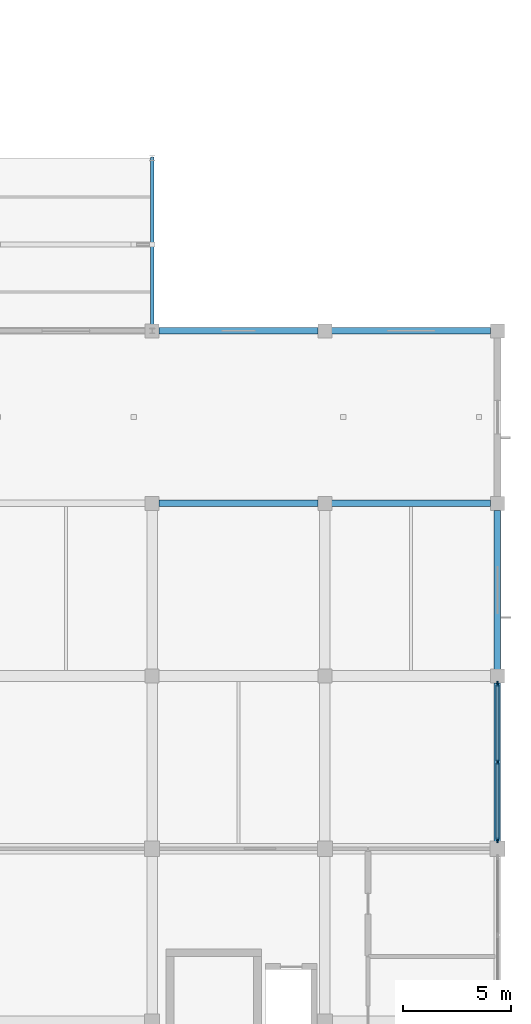
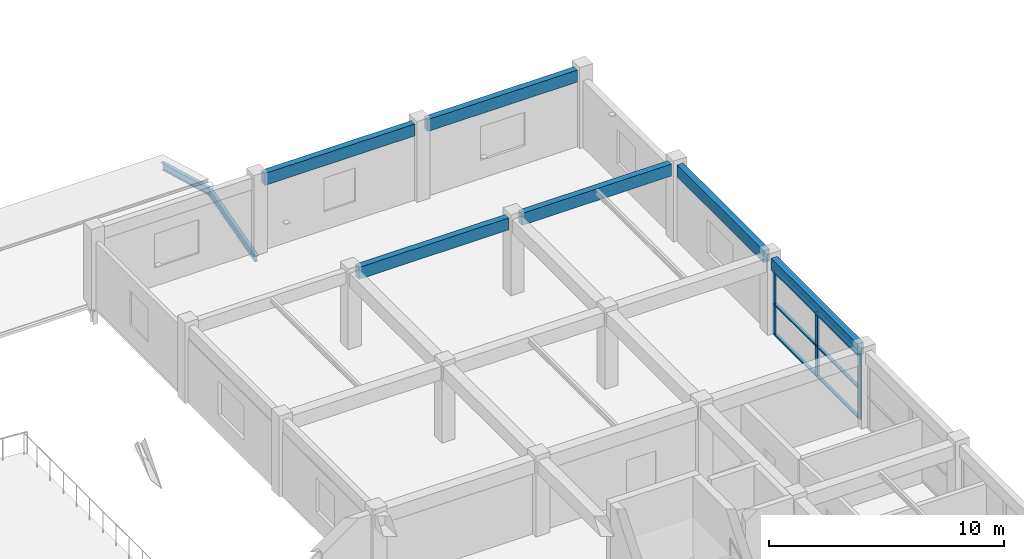
# One storey, part 25 of 67: 9 members, 8 beams, 1 element without a shape of its own.
"""IFC4 building model written with IfcOpenShell, lengths in metres."""

from ifc_helpers import new_model, si_unit, direction, frame, origin, origin_2d, place, context, subcontext, project, spatial, rectangle, i_section, extrude, material, material_profile, profile_set, type_object, element, aggregate, save


model = new_model("IFC4")

# Units and contexts
model_context = context("Model", 3, precision=1e-05, world=origin(), true_north=direction((0.0, 1.0)))
body_context = subcontext(model_context, "Body", "Model", "MODEL_VIEW")
ifc_project = project(units=[si_unit("LENGTHUNIT", "METRE"), si_unit("AREAUNIT", "SQUARE_METRE"), si_unit("VOLUMEUNIT", "CUBIC_METRE"), si_unit("PLANEANGLEUNIT", "RADIAN"), si_unit("MASSUNIT", "GRAM", prefix="KILO")], contexts=[model_context])

# Site, building, storey
site_placement = place(None, origin())
site = spatial("IfcSite", under=ifc_project, at=site_placement, CompositionType="ELEMENT")
building_placement = place(site_placement, origin())
building = spatial("IfcBuilding", under=site, at=building_placement, Name="Kenh Van Central Station", CompositionType="ELEMENT")
storey_placement = place(building_placement, frame((0.0, 0.0, 10.800048828125)))
storey = spatial("IfcBuildingStorey", under=building, at=storey_placement, Name="L02", CompositionType="ELEMENT", Elevation=10.800048828125)

# Beams
ifc_material_1 = material(Name="Steel S355", Category="steel")
ifc_material_profile_1 = material_profile(ifc_material_1, i_section(OverallWidth=0.169921875, OverallDepth=0.360107421875, WebThickness=0.008056640625, FlangeThickness=0.0126953125, FilletRadius=0.01806640625, at=origin_2d()), Name="IPE 360")
ifc_profile_set_1 = profile_set([ifc_material_profile_1], Name="Steel S355")
beam_type_1 = type_object("IfcBeamType", Name="BM-STL-IPE360", PredefinedType="BEAM", material=ifc_profile_set_1)
for number, where, z_axis, x_axis, name in (
    (1, (160.0, 88.0, -0.4345703125), (0.0, 0.964199374188, 0.265178367925), (-1.0, 0.0, 0.0), "L02 roof rafter 231"),
    (2, (160.0, 92.0, 0.66552734375), (0.0, 0.964199374188, -0.265178367925), (-1.0, 0.0, 0.0), "L02 roof rafter 232"),
):
    element("IfcBeam", number, at=place(storey_placement, frame(where, z_axis=z_axis, x_axis=x_axis)), inside=storey, type_object=beam_type_1, Name=name, PredefinedType="BEAM", context=body_context, shape_type="SweptSolid", body=[
        extrude(i_section(OverallWidth=0.169921875, OverallDepth=0.360107421875, WebThickness=0.008056640625, FlangeThickness=0.0126953125, FilletRadius=0.01806640625, at=origin_2d()), origin(), (0.0, 0.0, 1.0), 4.1484375),
    ])

# Curtain wall, members
ifc_material_2 = material(Name="Champagne anodised aluminium", Category="aluminium")
curtain_wall_type = type_object("IfcCurtainWallType", Name="CW-OPER-A", PredefinedType="NOTDEFINED", material=ifc_material_2)
curtain_wall_placement = place(storey_placement, origin())
curtain_wall = element("IfcCurtainWall", 3, at=curtain_wall_placement, inside=storey, type_object=curtain_wall_type, Name="L02 curtain wall 196", PredefinedType="NOTDEFINED")
ifc_material_profile_2 = material_profile(ifc_material_2, rectangle(XDim=0.087890625, YDim=0.239990234375, at=origin_2d()), Name="AL 88x240")
ifc_profile_set_2 = profile_set([ifc_material_profile_2], Name="Champagne anodised aluminium")
member_type_1 = type_object("IfcMemberType", Name="CWM-60x140", PredefinedType="MULLION", material=ifc_profile_set_2)
member_1_placement = place(storey_placement, frame((176.0, 64.39404296875, 0.0), z_axis=(0.0, 0.0, 1.0), x_axis=(-1.0, 0.0, 0.0)))
member_1 = element("IfcMember", 4, at=member_1_placement, type_object=member_type_1, Name="CW-07 mullion 1", PredefinedType="MULLION", context=body_context, shape_type="SweptSolid", body=[
    extrude(rectangle(XDim=0.087890625, YDim=0.239990234375, at=origin_2d()), origin(), (0.0, 0.0, 1.0), 3.329833984375),
])
member_2_placement = place(storey_placement, frame((176.0, 68.012451171875, 0.0), z_axis=(0.0, 0.0, 1.0), x_axis=(-1.0, 0.0, 0.0)))
member_2 = element("IfcMember", 5, at=member_2_placement, type_object=member_type_1, Name="CW-07 mullion 2", PredefinedType="MULLION", context=body_context, shape_type="SweptSolid", body=[
    extrude(rectangle(XDim=0.087890625, YDim=0.239990234375, at=origin_2d()), origin(), (0.0, 0.0, 1.0), 3.329833984375),
])
member_3_placement = place(storey_placement, frame((176.0, 71.631103515625, 0.0), z_axis=(0.0, 0.0, 1.0), x_axis=(-1.0, 0.0, 0.0)))
member_3 = element("IfcMember", 6, at=member_3_placement, type_object=member_type_1, Name="CW-07 mullion 3", PredefinedType="MULLION", context=body_context, shape_type="SweptSolid", body=[
    extrude(rectangle(XDim=0.087890625, YDim=0.239990234375, at=origin_2d()), origin(), (0.0, 0.0, 1.0), 3.329833984375),
])
ifc_material_profile_3 = material_profile(ifc_material_2, rectangle(XDim=0.155029296875, YDim=0.072021484375, at=origin_2d()), Name="AL 155x72")
ifc_profile_set_3 = profile_set([ifc_material_profile_3], Name="Champagne anodised aluminium")
member_type_2 = type_object("IfcMemberType", Name="CWT-120x60", PredefinedType="USERDEFINED", material=ifc_profile_set_3)
member_4_placement = place(storey_placement, frame((176.0, 64.43798828125, 0.035888671875), z_axis=(0.0, 1.0, 0.0), x_axis=(-1.0, 0.0, 0.0)))
member_4 = element("IfcMember", 7, at=member_4_placement, type_object=member_type_2, Name="CW-07 transom 1.1", ObjectType="TRANSOM", PredefinedType="USERDEFINED", context=body_context, shape_type="SweptSolid", body=[
    extrude(rectangle(XDim=0.155029296875, YDim=0.072021484375, at=origin_2d()), origin(), (0.0, 0.0, 1.0), 3.530517578125),
])
member_5_placement = place(storey_placement, frame((176.0, 64.43798828125, 1.598388671875), z_axis=(0.0, 1.0, 0.0), x_axis=(-1.0, 0.0, 0.0)))
member_5 = element("IfcMember", 8, at=member_5_placement, type_object=member_type_2, Name="CW-07 transom 1.2", ObjectType="TRANSOM", PredefinedType="USERDEFINED", context=body_context, shape_type="SweptSolid", body=[
    extrude(rectangle(XDim=0.155029296875, YDim=0.072021484375, at=origin_2d()), origin(), (0.0, 0.0, 1.0), 3.530517578125),
])
member_6_placement = place(storey_placement, frame((176.0, 64.43798828125, 3.2939453125), z_axis=(0.0, 1.0, 0.0), x_axis=(-1.0, 0.0, 0.0)))
member_6 = element("IfcMember", 9, at=member_6_placement, type_object=member_type_2, Name="CW-07 transom 1.3", ObjectType="TRANSOM", PredefinedType="USERDEFINED", context=body_context, shape_type="SweptSolid", body=[
    extrude(rectangle(XDim=0.155029296875, YDim=0.072021484375, at=origin_2d()), origin(), (0.0, 0.0, 1.0), 3.530517578125),
])
member_7_placement = place(storey_placement, frame((176.0, 68.056396484375, 0.035888671875), z_axis=(0.0, 1.0, 0.0), x_axis=(-1.0, 0.0, 0.0)))
member_7 = element("IfcMember", 10, at=member_7_placement, type_object=member_type_2, Name="CW-07 transom 2.1", ObjectType="TRANSOM", PredefinedType="USERDEFINED", context=body_context, shape_type="SweptSolid", body=[
    extrude(rectangle(XDim=0.155029296875, YDim=0.072021484375, at=origin_2d()), origin(), (0.0, 0.0, 1.0), 3.530517578125),
])
member_8_placement = place(storey_placement, frame((176.0, 68.056396484375, 1.598388671875), z_axis=(0.0, 1.0, 0.0), x_axis=(-1.0, 0.0, 0.0)))
member_8 = element("IfcMember", 11, at=member_8_placement, type_object=member_type_2, Name="CW-07 transom 2.2", ObjectType="TRANSOM", PredefinedType="USERDEFINED", context=body_context, shape_type="SweptSolid", body=[
    extrude(rectangle(XDim=0.155029296875, YDim=0.072021484375, at=origin_2d()), origin(), (0.0, 0.0, 1.0), 3.530517578125),
])
member_9_placement = place(storey_placement, frame((176.0, 68.056396484375, 3.2939453125), z_axis=(0.0, 1.0, 0.0), x_axis=(-1.0, 0.0, 0.0)))
member_9 = element("IfcMember", 12, at=member_9_placement, type_object=member_type_2, Name="CW-07 transom 2.3", ObjectType="TRANSOM", PredefinedType="USERDEFINED", context=body_context, shape_type="SweptSolid", body=[
    extrude(rectangle(XDim=0.155029296875, YDim=0.072021484375, at=origin_2d()), origin(), (0.0, 0.0, 1.0), 3.530517578125),
])
aggregate(curtain_wall, [member_1, member_2, member_3, member_4, member_5, member_6, member_7, member_8, member_9])

# Beams
ifc_material_3 = material(Name="Concrete C35/45", Category="concrete")
ifc_material_profile_4 = material_profile(ifc_material_3, rectangle(XDim=0.300048828125, YDim=0.6201171875, at=origin_2d()), Name="RC 300x620")
ifc_profile_set_4 = profile_set([ifc_material_profile_4], Name="Concrete C35/45")
beam_type_2 = type_object("IfcBeamType", Name="SPD-RC-300x620", PredefinedType="SPANDREL", material=ifc_profile_set_4)
for number, where, z_axis, x_axis, name in (
    (13, (160.31494140625, 80.0, 3.639892578125), (1.0, 0.0, 0.0), (0.0, 1.0, 0.0), "L02 beam 0993"),
    (14, (168.31494140625, 80.0, 3.639892578125), (1.0, 0.0, 0.0), (0.0, 1.0, 0.0), "L02 beam 0994"),
    (15, (160.31494140625, 88.0, 3.669921875), (1.0, 0.0, 0.0), (0.0, 1.0, 0.0), "L02 beam 0996"),
    (16, (168.31494140625, 88.0, 3.669921875), (1.0, 0.0, 0.0), (0.0, 1.0, 0.0), "L02 beam 0997"),
):
    element("IfcBeam", number, at=place(storey_placement, frame(where, z_axis=z_axis, x_axis=x_axis)), inside=storey, type_object=beam_type_2, Name=name, PredefinedType="SPANDREL", context=body_context, shape_type="SweptSolid", body=[
        extrude(rectangle(XDim=0.300048828125, YDim=0.6201171875, at=origin_2d()), origin(), (0.0, 0.0, 1.0), 7.3701171875),
    ])
beam_1_placement = place(storey_placement, frame((176.0, 64.340087890625, 3.639892578125), z_axis=(0.0, 1.0, 0.0), x_axis=(-1.0, 0.0, 0.0)))
element("IfcBeam", 17, at=beam_1_placement, inside=storey, type_object=beam_type_2, Name="L02 beam 1089", PredefinedType="SPANDREL", context=body_context, shape_type="SweptSolid", body=[
    extrude(rectangle(XDim=0.300048828125, YDim=0.6201171875, at=origin_2d()), origin(), (0.0, 0.0, 1.0), 7.344970703125),
])
beam_2_placement = place(storey_placement, frame((176.0, 72.31494140625, 3.639892578125), z_axis=(0.0, 1.0, 0.0), x_axis=(-1.0, 0.0, 0.0)))
element("IfcBeam", 18, at=beam_2_placement, inside=storey, type_object=beam_type_2, Name="L02 beam 1090", PredefinedType="SPANDREL", context=body_context, shape_type="SweptSolid", body=[
    extrude(rectangle(XDim=0.300048828125, YDim=0.6201171875, at=origin_2d()), origin(), (0.0, 0.0, 1.0), 7.3701171875),
])

save(model, "model.ifc")
